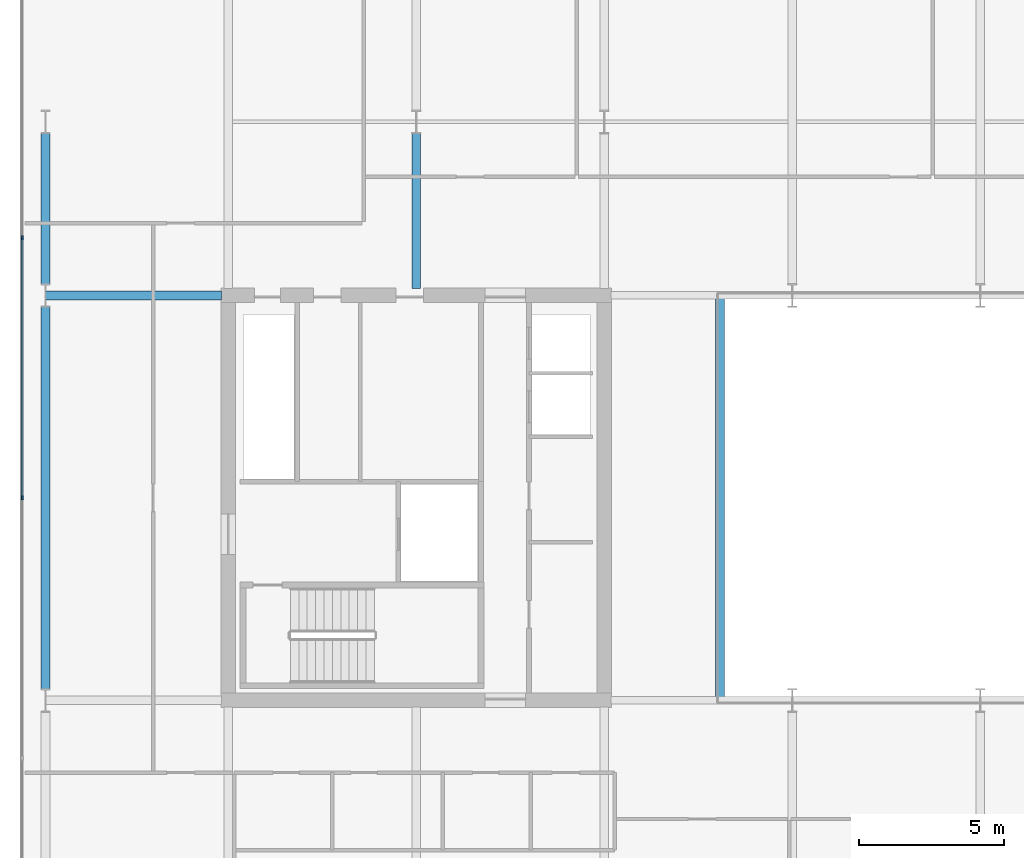
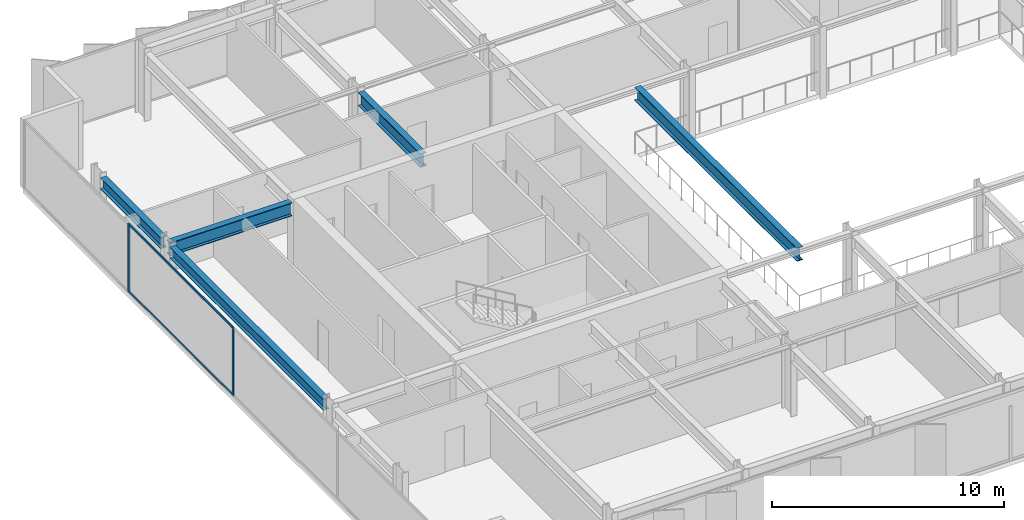
# One storey, part 5 of 24: 5 beams, 4 members, 1 element without a shape of its own.
"""IFC4 building model written with IfcOpenShell, lengths in metres."""

from ifc_helpers import new_model, si_unit, direction, frame, origin, origin_2d, place, context, subcontext, project, spatial, rectangle, i_section, extrude, material, layer, layer_set, material_profile, profile_set, type_object, element, aggregate, save


model = new_model("IFC4")

# Units and contexts
model_context = context("Model", 3, precision=1e-05, world=origin(), true_north=direction((0.0, 1.0)))
body_context = subcontext(model_context, "Body", "Model", "MODEL_VIEW")
ifc_project = project(units=[si_unit("LENGTHUNIT", "METRE"), si_unit("AREAUNIT", "SQUARE_METRE"), si_unit("VOLUMEUNIT", "CUBIC_METRE"), si_unit("PLANEANGLEUNIT", "RADIAN"), si_unit("MASSUNIT", "GRAM", prefix="KILO")], contexts=[model_context])

# Site, building, storey
site_placement = place(None, origin())
site = spatial("IfcSite", under=ifc_project, at=site_placement, CompositionType="ELEMENT")
building_placement = place(site_placement, origin())
building = spatial("IfcBuilding", under=site, at=building_placement, Name="Putna Gate Headquarters", CompositionType="ELEMENT")
storey_placement = place(building_placement, frame((0.0, 0.0, 240.39990234375)))
storey = spatial("IfcBuildingStorey", under=building, at=storey_placement, Name="L60", CompositionType="ELEMENT", Elevation=240.39990234375)

# Beams
ifc_material_1 = material(Name="Steel S355J2", Category="steel")
ifc_material_profile_1 = material_profile(ifc_material_1, i_section(OverallWidth=0.300048828125, OverallDepth=0.699951171875, WebThickness=0.01708984375, FlangeThickness=0.031982421875, at=origin_2d()), Name="Steel S355J2")
ifc_profile_set_1 = profile_set([ifc_material_profile_1], Name="Steel S355J2")
beam_type_1 = type_object("IfcBeamType", Name="BM-GIRD-B-HEB700", PredefinedType="USERDEFINED", material=ifc_profile_set_1)
beam_1_placement = place(storey_placement, frame((6.68603515625, 33.0, 3.22998046875), z_axis=(1.0, 0.0, 0.0), x_axis=(0.0, 1.0, 0.0)))
element("IfcBeam", 1, at=beam_1_placement, inside=storey, type_object=beam_type_1, Name="L60 West Wing Girder Y33", ObjectType="GIRDER", PredefinedType="USERDEFINED", context=body_context, shape_type="SweptSolid", body=[
    extrude(i_section(OverallWidth=0.300048828125, OverallDepth=0.699951171875, WebThickness=0.01708984375, FlangeThickness=0.031982421875, at=origin_2d()), origin(), (0.0, 0.0, 1.0), 6.078857421875),
])
beam_2_placement = place(storey_placement, frame((19.5, 33.235107421875, 3.22998046875), z_axis=(0.0, 1.0, 0.0), x_axis=(-1.0, 0.0, 0.0)))
element("IfcBeam", 2, at=beam_2_placement, inside=storey, type_object=beam_type_1, Name="L60 North Primary Girder X19-1", ObjectType="GIRDER", PredefinedType="USERDEFINED", context=body_context, shape_type="SweptSolid", body=[
    extrude(i_section(OverallWidth=0.300048828125, OverallDepth=0.699951171875, WebThickness=0.01708984375, FlangeThickness=0.031982421875, at=origin_2d()), origin(), (0.0, 0.0, 1.0), 5.369873046875),
])
beam_3_placement = place(storey_placement, frame((30.0, 19.010009765625, 3.22998046875), z_axis=(0.0, 1.0, 0.0), x_axis=(-1.0, 0.0, 0.0)))
element("IfcBeam", 3, at=beam_3_placement, inside=storey, type_object=beam_type_1, Name="L60 Atrium Trim Girder AW", ObjectType="GIRDER", PredefinedType="USERDEFINED", context=body_context, shape_type="SweptSolid", body=[
    extrude(i_section(OverallWidth=0.300048828125, OverallDepth=0.699951171875, WebThickness=0.01708984375, FlangeThickness=0.031982421875, at=origin_2d()), origin(), (0.0, 0.0, 1.0), 13.97998046875),
])
ifc_material_profile_2 = material_profile(ifc_material_1, i_section(OverallWidth=0.300048828125, OverallDepth=0.590087890625, WebThickness=0.012939453125, FlangeThickness=0.02490234375, at=origin_2d()), Name="Steel S355J2")
ifc_profile_set_2 = profile_set([ifc_material_profile_2], Name="Steel S355J2")
beam_type_2 = type_object("IfcBeamType", Name="BM-SPAN-Z4-HEA600", PredefinedType="SPANDREL", material=ifc_profile_set_2)
beam_4_placement = place(storey_placement, frame((6.679931640625, 19.39501953125, 3.28515625), z_axis=(0.0, 1.0, 0.0), x_axis=(-1.0, 0.0, 0.0)))
element("IfcBeam", 4, at=beam_4_placement, inside=storey, type_object=beam_type_2, Name="L60 W End Spandrel 2", PredefinedType="SPANDREL", context=body_context, shape_type="SweptSolid", body=[
    extrude(i_section(OverallWidth=0.300048828125, OverallDepth=0.590087890625, WebThickness=0.012939453125, FlangeThickness=0.02490234375, at=origin_2d()), origin(), (0.0, 0.0, 1.0), 13.2099609375),
])
beam_5_placement = place(storey_placement, frame((6.679931640625, 33.39501953125, 3.28515625), z_axis=(0.0, 1.0, 0.0), x_axis=(-1.0, 0.0, 0.0)))
element("IfcBeam", 5, at=beam_5_placement, inside=storey, type_object=beam_type_2, Name="L60 W End Spandrel 3", PredefinedType="SPANDREL", context=body_context, shape_type="SweptSolid", body=[
    extrude(i_section(OverallWidth=0.300048828125, OverallDepth=0.590087890625, WebThickness=0.012939453125, FlangeThickness=0.02490234375, at=origin_2d()), origin(), (0.0, 0.0, 1.0), 5.2099609375),
])

# Curtain wall, members
ifc_material_2 = material(Name="Anodised bronze aluminium curtain wall", Category="aluminium")
ifc_layer = layer(ifc_material_2, 0.139892578125)
ifc_layer_set = layer_set([ifc_layer], Name="Anodised bronze aluminium curtain wall")
curtain_wall_type = type_object("IfcCurtainWallType", Name="CW-SYS-Z4", PredefinedType="USERDEFINED", material=ifc_layer_set)
curtain_wall_placement = place(storey_placement, origin())
curtain_wall = element("IfcCurtainWall", 6, at=curtain_wall_placement, inside=storey, type_object=curtain_wall_type, Name="L60 West Curtain Wall", ObjectType="STICK CURTAIN WALL", PredefinedType="USERDEFINED")
ifc_material_3 = material(Name="Anodised bronze aluminium EN AW-6060", Category="aluminium")
ifc_material_profile_3 = material_profile(ifc_material_3, rectangle(XDim=0.06005859375, YDim=0.139892578125, at=origin_2d()), Name="Anodised bronze aluminium EN AW-6060")
ifc_profile_set_3 = profile_set([ifc_material_profile_3], Name="Anodised bronze aluminium EN AW-6060")
member_type_1 = type_object("IfcMemberType", Name="MULL-CWM-4", PredefinedType="MULLION", material=ifc_profile_set_3)
member_1_placement = place(storey_placement, frame((5.8798828125, 26.0, 0.0), z_axis=(0.0, 0.0, 1.0), x_axis=(-1.0, 0.0, 0.0)))
member_1 = element("IfcMember", 7, at=member_1_placement, type_object=member_type_1, Name="CWS-4 mullion 3", PredefinedType="MULLION", context=body_context, shape_type="SweptSolid", body=[
    extrude(rectangle(XDim=0.06005859375, YDim=0.139892578125, at=origin_2d()), origin(), (0.0, 0.0, 1.0), 3.580078125),
])
member_2_placement = place(storey_placement, frame((5.8798828125, 35.0, 0.0), z_axis=(0.0, 0.0, 1.0), x_axis=(-1.0, 0.0, 0.0)))
member_2 = element("IfcMember", 8, at=member_2_placement, type_object=member_type_1, Name="CWS-4 mullion 4", PredefinedType="MULLION", context=body_context, shape_type="SweptSolid", body=[
    extrude(rectangle(XDim=0.06005859375, YDim=0.139892578125, at=origin_2d()), origin(), (0.0, 0.0, 1.0), 3.580078125),
])
ifc_material_profile_4 = material_profile(ifc_material_3, rectangle(XDim=0.06005859375, YDim=0.10009765625, at=origin_2d()), Name="Anodised bronze aluminium EN AW-6060")
ifc_profile_set_4 = profile_set([ifc_material_profile_4], Name="Anodised bronze aluminium EN AW-6060")
member_type_2 = type_object("IfcMemberType", Name="TRAN-CWT-4", PredefinedType="USERDEFINED", material=ifc_profile_set_4)
member_3_placement = place(storey_placement, frame((5.8798828125, 26.030029296875, 0.030029296875), z_axis=(0.0, 1.0, 0.0), x_axis=(-1.0, 0.0, 0.0)))
member_3 = element("IfcMember", 9, at=member_3_placement, type_object=member_type_2, Name="CWS-4 transom 3.1", ObjectType="TRANSOM", PredefinedType="USERDEFINED", context=body_context, shape_type="SweptSolid", body=[
    extrude(rectangle(XDim=0.06005859375, YDim=0.10009765625, at=origin_2d()), origin(), (0.0, 0.0, 1.0), 8.93994140625),
])
member_4_placement = place(storey_placement, frame((5.8798828125, 26.030029296875, 3.550048828125), z_axis=(0.0, 1.0, 0.0), x_axis=(-1.0, 0.0, 0.0)))
member_4 = element("IfcMember", 10, at=member_4_placement, type_object=member_type_2, Name="CWS-4 transom 3.2", ObjectType="TRANSOM", PredefinedType="USERDEFINED", context=body_context, shape_type="SweptSolid", body=[
    extrude(rectangle(XDim=0.06005859375, YDim=0.10009765625, at=origin_2d()), origin(), (0.0, 0.0, 1.0), 8.93994140625),
])
aggregate(curtain_wall, [member_1, member_2, member_3, member_4])

save(model, "model.ifc")
